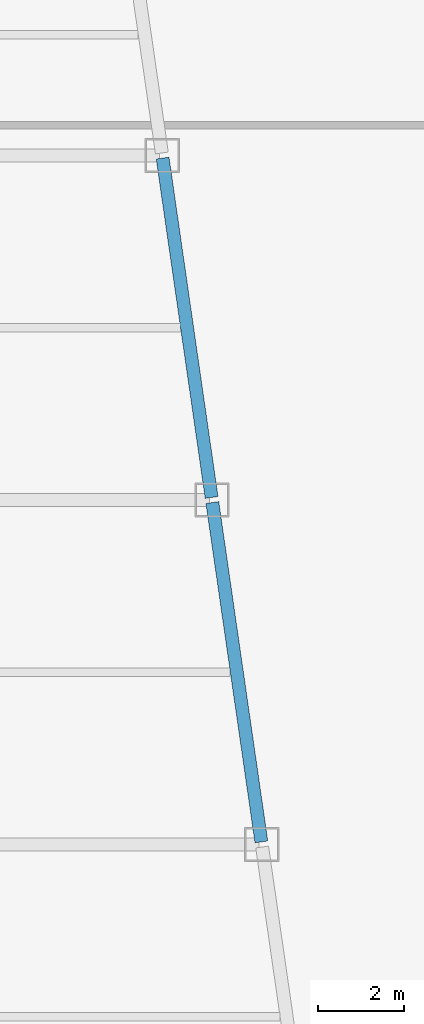
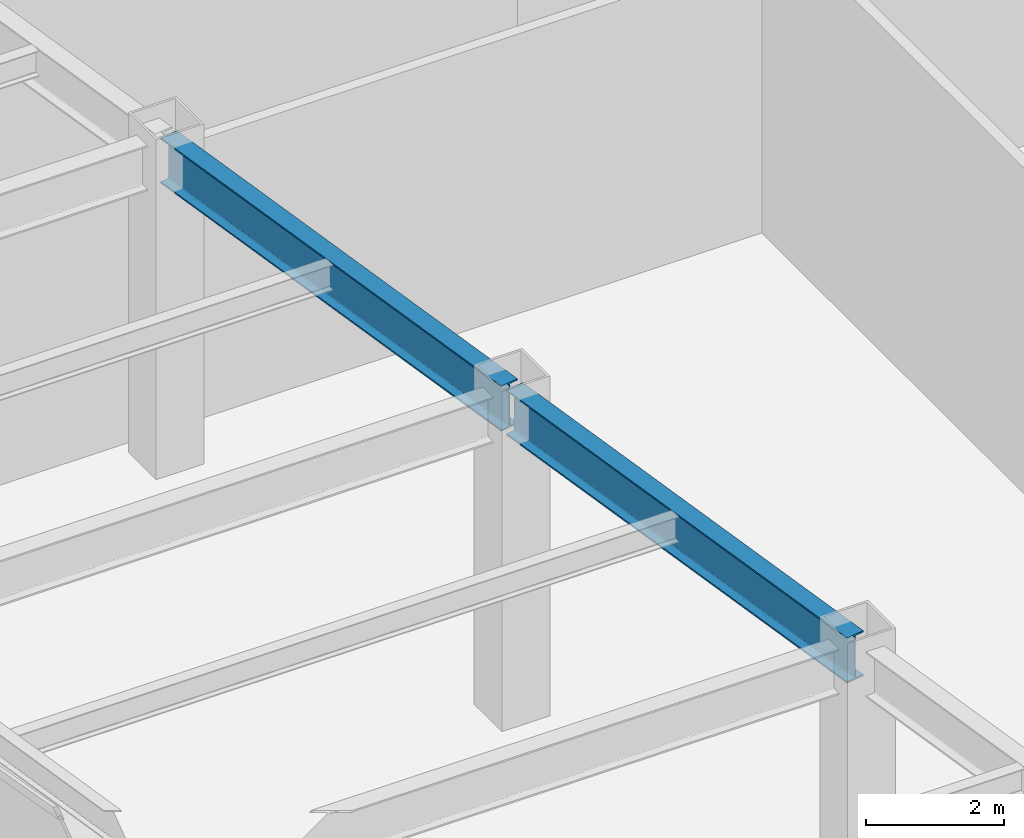
# One storey, part 12 of 35: 2 beams.
"""IFC4 building model written with IfcOpenShell, lengths in metres."""

from ifc_helpers import new_model, si_unit, direction, frame, origin, origin_2d, place, context, subcontext, project, spatial, i_section, extrude, material, material_profile, profile_set, type_object, element, save


model = new_model("IFC4")

# Units and contexts
model_context = context("Model", 3, precision=1e-05, world=origin(), true_north=direction((0.0, 1.0)))
body_context = subcontext(model_context, "Body", "Model", "MODEL_VIEW")
ifc_project = project(units=[si_unit("LENGTHUNIT", "METRE"), si_unit("AREAUNIT", "SQUARE_METRE"), si_unit("VOLUMEUNIT", "CUBIC_METRE"), si_unit("PLANEANGLEUNIT", "RADIAN"), si_unit("MASSUNIT", "GRAM", prefix="KILO")], contexts=[model_context])

# Site, building, storey
site_placement = place(None, origin())
site = spatial("IfcSite", under=ifc_project, at=site_placement, CompositionType="ELEMENT")
building_placement = place(site_placement, origin())
building = spatial("IfcBuilding", under=site, at=building_placement, Name="Saevonmaru Cultural Tower", CompositionType="ELEMENT")
storey_placement = place(building_placement, frame((0.0, 0.0, 86.800048828125)))
storey = spatial("IfcBuildingStorey", under=building, at=storey_placement, Name="L18", CompositionType="ELEMENT", Elevation=86.800048828125)

# Beams
ifc_material = material(Name="Steel SM420", Category="steel")
ifc_material_profile = material_profile(ifc_material, i_section(OverallWidth=0.300048828125, OverallDepth=0.800048828125, WebThickness=0.013916015625, FlangeThickness=0.02587890625, FilletRadius=0.028076171875, at=origin_2d()), Name="H-800x300x14x26")
ifc_profile_set = profile_set([ifc_material_profile], Name="Steel SM420")
beam_type = type_object("IfcBeamType", Name="BM-G-H800", PredefinedType="BEAM", material=ifc_profile_set)
for number, where, z_axis, x_axis, name in (
    (1, (21.91943359375, 16.059326171875, 5.349853515625), (-0.143022161059, 0.989719486241, 0.0), (-0.989719486241, -0.143022161059, 0.0), "L18 West Atrium Girder 3"),
    (2, (20.763427734375, 24.059326171875, 5.349853515625), (-0.142902032203, 0.989736838353, 0.0), (-0.989736838353, -0.142902032203, 0.0), "L18 West Atrium Girder 4"),
):
    element("IfcBeam", number, at=place(storey_placement, frame(where, z_axis=z_axis, x_axis=x_axis)), inside=storey, type_object=beam_type, Name=name, PredefinedType="BEAM", context=body_context, shape_type="SweptSolid", body=[
        extrude(i_section(OverallWidth=0.300048828125, OverallDepth=0.800048828125, WebThickness=0.013916015625, FlangeThickness=0.02587890625, FilletRadius=0.028076171875, at=origin_2d()), origin(), (0.0, 0.0, 1.0), 7.963134765625),
    ])

save(model, "model.ifc")
